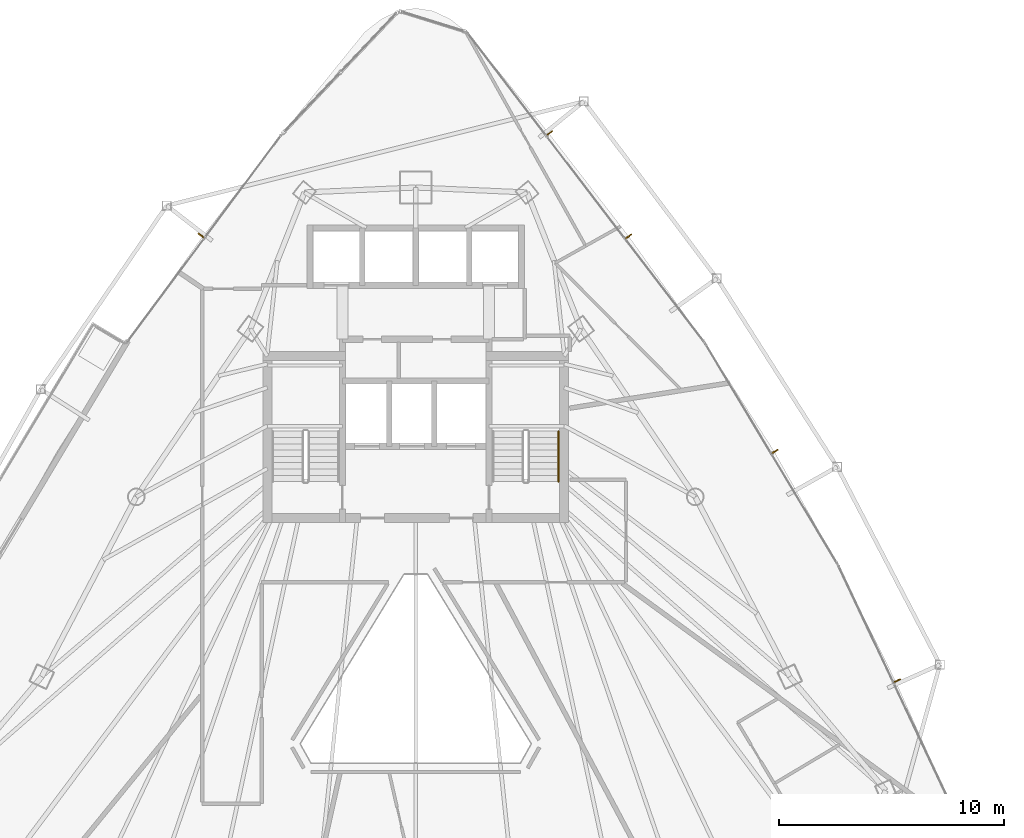
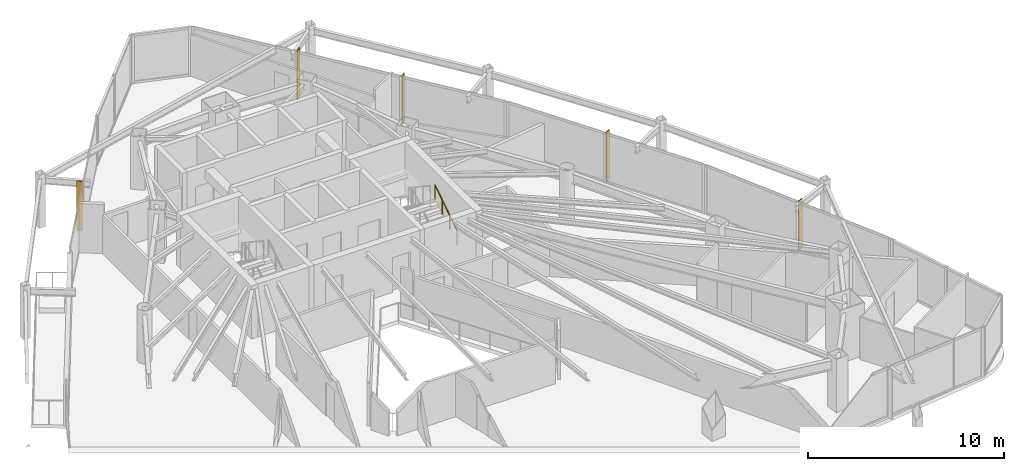
# One storey, part 33 of 33: 5 shading devices, 1 railing.
"""IFC4 building model written with IfcOpenShell, lengths in metres."""

from ifc_helpers import new_model, si_unit, direction, frame, origin, origin_2d, place, context, subcontext, project, spatial, rectangle, circle, extrude, material, layer, layer_set, type_object, element, save


model = new_model("IFC4")

# Units and contexts
model_context = context("Model", 3, precision=1e-05, world=origin(), true_north=direction((0.0, 1.0)))
body_context = subcontext(model_context, "Body", "Model", "MODEL_VIEW")
ifc_project = project(units=[si_unit("LENGTHUNIT", "METRE"), si_unit("AREAUNIT", "SQUARE_METRE"), si_unit("VOLUMEUNIT", "CUBIC_METRE"), si_unit("PLANEANGLEUNIT", "RADIAN"), si_unit("MASSUNIT", "GRAM", prefix="KILO")], contexts=[model_context])

# Site, building, storey
site_placement = place(None, origin())
site = spatial("IfcSite", under=ifc_project, at=site_placement, CompositionType="ELEMENT")
building_placement = place(site_placement, origin())
building = spatial("IfcBuilding", under=site, at=building_placement, Name="Orvanel Arch Residences", CompositionType="ELEMENT")
storey_placement = place(building_placement, frame((0.0, 0.0, 119.89990234375)))
storey = spatial("IfcBuildingStorey", under=building, at=storey_placement, Name="L33", CompositionType="ELEMENT", Elevation=119.89990234375)

# Shading devices
ifc_material_1 = material(Name="Bronze-anodised aluminium AA6063-T6", Category="aluminium")
ifc_layer = layer(ifc_material_1, 0.054931640625)
ifc_layer_set = layer_set([ifc_layer], Name="Bronze-anodised aluminium AA6063-T6")
shading_device_type = type_object("IfcShadingDeviceType", Name="FIN-BRZ-320", PredefinedType="USERDEFINED", material=ifc_layer_set)
for number, where, z_axis, x_axis, name in (
    (1, (23.4580078125, 39.258056640625, 0.0), (0.0, 0.0, 1.0), (-0.801775644244, 0.597625146976, 0.0), "L33 Anodised Bronze Mullion FIN 01"),
    (2, (54.4150390625, 19.465087890625, 0.0), (0.0, 0.0, 1.0), (0.904827052466, 0.425779291565, 0.0), "L33 Anodised Bronze Mullion FIN 01"),
    (3, (48.97412109375, 29.657958984375, 0.0), (0.0, 0.0, 1.0), (0.857167300702, 0.51503807491, 0.0), "L33 Anodised Bronze Mullion FIN 01"),
    (4, (42.468994140625, 39.22412109375, 0.0), (0.0, 0.0, 1.0), (0.793353340291, 0.608761429009, 0.0), "L33 Anodised Bronze Mullion FIN 01"),
    (5, (38.950927734375, 43.81591796875, 0.0), (0.0, 0.0, 1.0), (0.793353340291, 0.608761429009, 0.0), "L33 Anodised Bronze Mullion FIN 02"),
):
    element("IfcShadingDevice", number, at=place(storey_placement, frame(where, z_axis=z_axis, x_axis=x_axis)), inside=storey, type_object=shading_device_type, Name=name, ObjectType="FIN", PredefinedType="USERDEFINED", context=body_context, shape_type="SweptSolid", body=[
        extrude(rectangle(XDim=0.320068359375, YDim=0.054931640625, at=origin_2d()), origin(), (0.0, 0.0, 1.0), 3.06005859375),
    ])

# Railing
ifc_material_2 = material(Name="Structural steel AS/NZS 1163 C350L0 (Grade 350)", Category="steel")
railing_type = type_object("IfcRailingType", Name="RL-STAIR-HAND", PredefinedType="HANDRAIL", material=ifc_material_2)
railing_placement = place(storey_placement, frame((39.35009765625, 28.320068359375, 0.183349609375)))
element("IfcRailing", 6, at=railing_placement, inside=storey, type_object=railing_type, Name="L33 ST-2 stair handrail 1", PredefinedType="HANDRAIL", context=body_context, shape_type="SweptSolid", body=[
    extrude(circle(Radius=0.02392578125, at=origin_2d()), frame((0.0, 0.001220703125, 0.876708984375), z_axis=(0.0, 0.836595146698, 0.547821650285), x_axis=(-1.0, 0.0, 0.0)), (0.0, 0.0, 1.0), 2.674560546875),
    extrude(circle(Radius=0.02099609375, at=origin_2d()), origin(), (0.0, 0.0, 1.0), 0.849853515625),
    extrude(circle(Radius=0.02099609375, at=origin_2d()), frame((0.0, 0.74658203125, 0.489013671875)), (0.0, 0.0, 1.0), 0.849853515625),
    extrude(circle(Radius=0.02099609375, at=origin_2d()), frame((0.0, 1.493408203125, 0.977783203125)), (0.0, 0.0, 1.0), 0.849853515625),
    extrude(circle(Radius=0.02099609375, at=origin_2d()), frame((0.0, 2.239990234375, 1.466796875)), (0.0, 0.0, 1.0), 0.849853515625),
])

save(model, "model.ifc")
